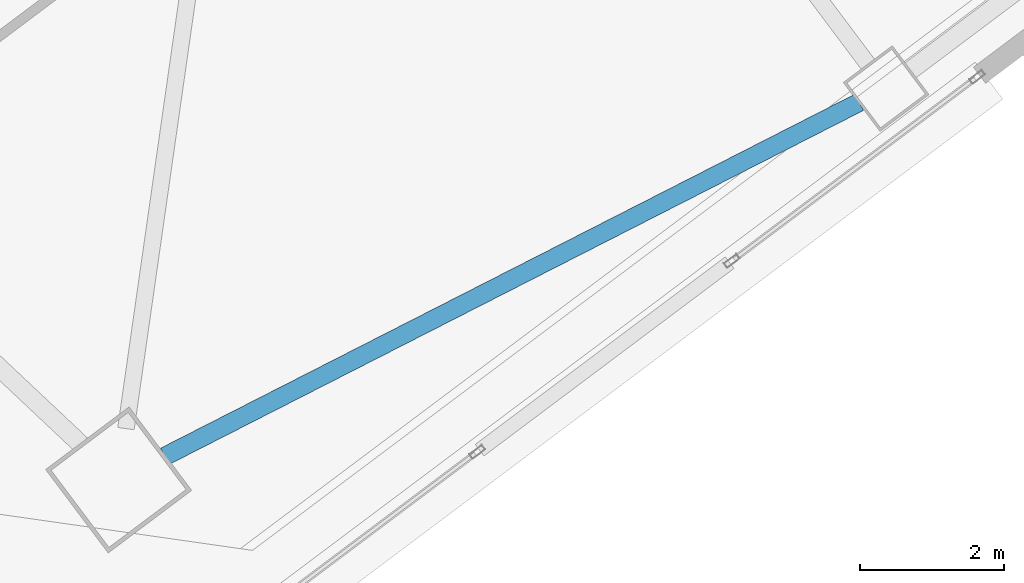
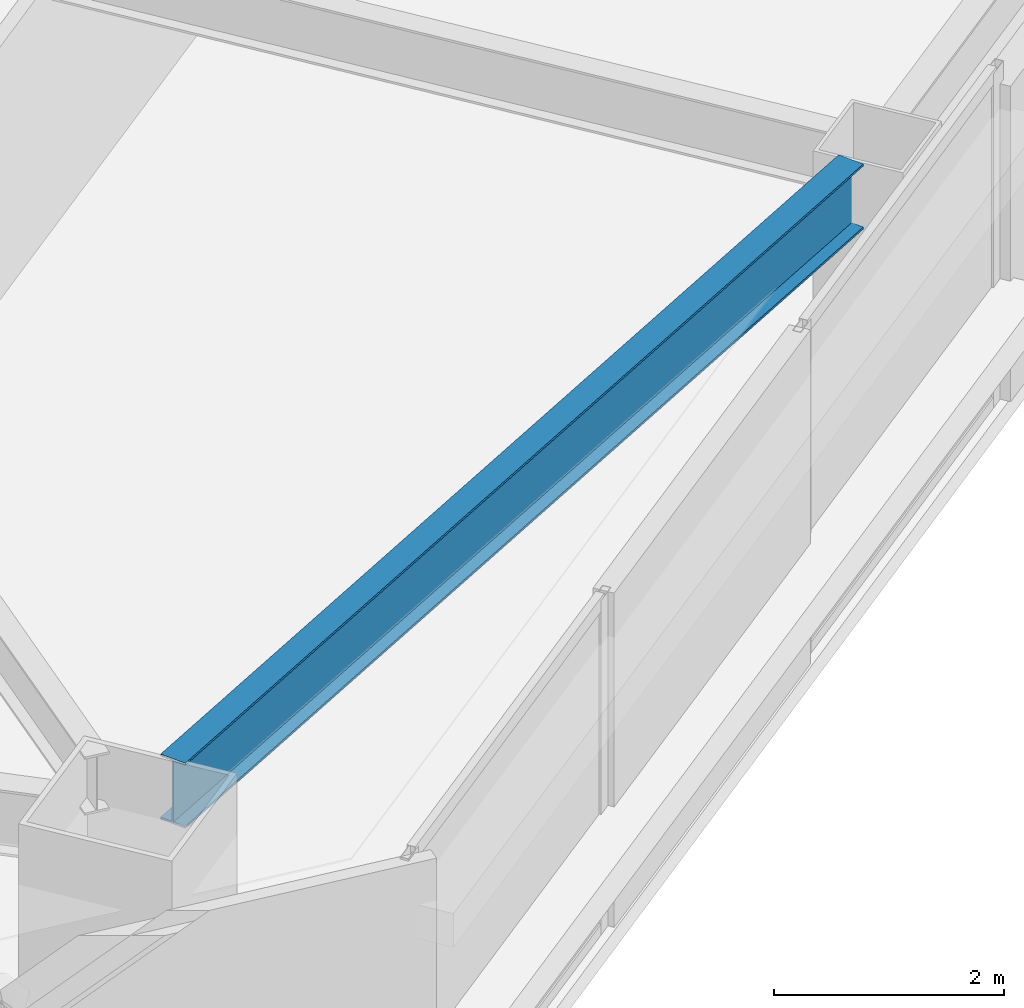
# One storey, part 19 of 47: 1 beam.
"""IFC4 building model written with IfcOpenShell, lengths in metres."""

from ifc_helpers import new_model, si_unit, direction, frame, origin, origin_2d, place, context, subcontext, project, spatial, i_section, extrude, material, material_profile, profile_set, type_object, element, save


model = new_model("IFC4")

# Units and contexts
model_context = context("Model", 3, precision=1e-05, world=origin(), true_north=direction((0.0, 1.0)))
body_context = subcontext(model_context, "Body", "Model", "MODEL_VIEW")
ifc_project = project(units=[si_unit("LENGTHUNIT", "METRE"), si_unit("AREAUNIT", "SQUARE_METRE"), si_unit("VOLUMEUNIT", "CUBIC_METRE"), si_unit("PLANEANGLEUNIT", "RADIAN"), si_unit("MASSUNIT", "GRAM", prefix="KILO")], contexts=[model_context])

# Site, building, storey
site_placement = place(None, origin())
site = spatial("IfcSite", under=ifc_project, at=site_placement, CompositionType="ELEMENT")
building_placement = place(site_placement, origin())
building = spatial("IfcBuilding", under=site, at=building_placement, Name="Tashvorn Skyway Center", CompositionType="ELEMENT")
storey_placement = place(building_placement, frame((0.0, 0.0, 81.39990234375)))
storey = spatial("IfcBuildingStorey", under=building, at=storey_placement, Name="L21", CompositionType="ELEMENT", Elevation=81.39990234375)

# Beam
ifc_material = material(Name="Steel ASTM A992 Grade 50", Category="steel")
ifc_material_profile = material_profile(ifc_material, i_section(OverallWidth=0.256103515625, OverallDepth=0.693115234375, WebThickness=0.014404296875, FlangeThickness=0.023681640625, at=origin_2d()), Name="W27X114")
ifc_profile_set = profile_set([ifc_material_profile], Name="Steel ASTM A992 Grade 50")
beam_type = type_object("IfcBeamType", Name="BM-SPANDREL-W27X114", PredefinedType="SPANDREL", material=ifc_profile_set)
beam_placement = place(storey_placement, frame((111.201416015625, 8.2470703125, 3.003662109375), z_axis=(0.890894170442, 0.454210938961, 0.0), x_axis=(-0.454210938961, 0.890894170442, 0.0)))
element("IfcBeam", 1, at=beam_placement, inside=storey, type_object=beam_type, Name="Tower 2 L21 Spandrel Beam 01", PredefinedType="SPANDREL", context=body_context, shape_type="SweptSolid", body=[
    extrude(i_section(OverallWidth=0.256103515625, OverallDepth=0.693115234375, WebThickness=0.014404296875, FlangeThickness=0.023681640625, at=origin_2d()), origin(), (0.0, 0.0, 1.0), 10.836669921875),
])

save(model, "model.ifc")
